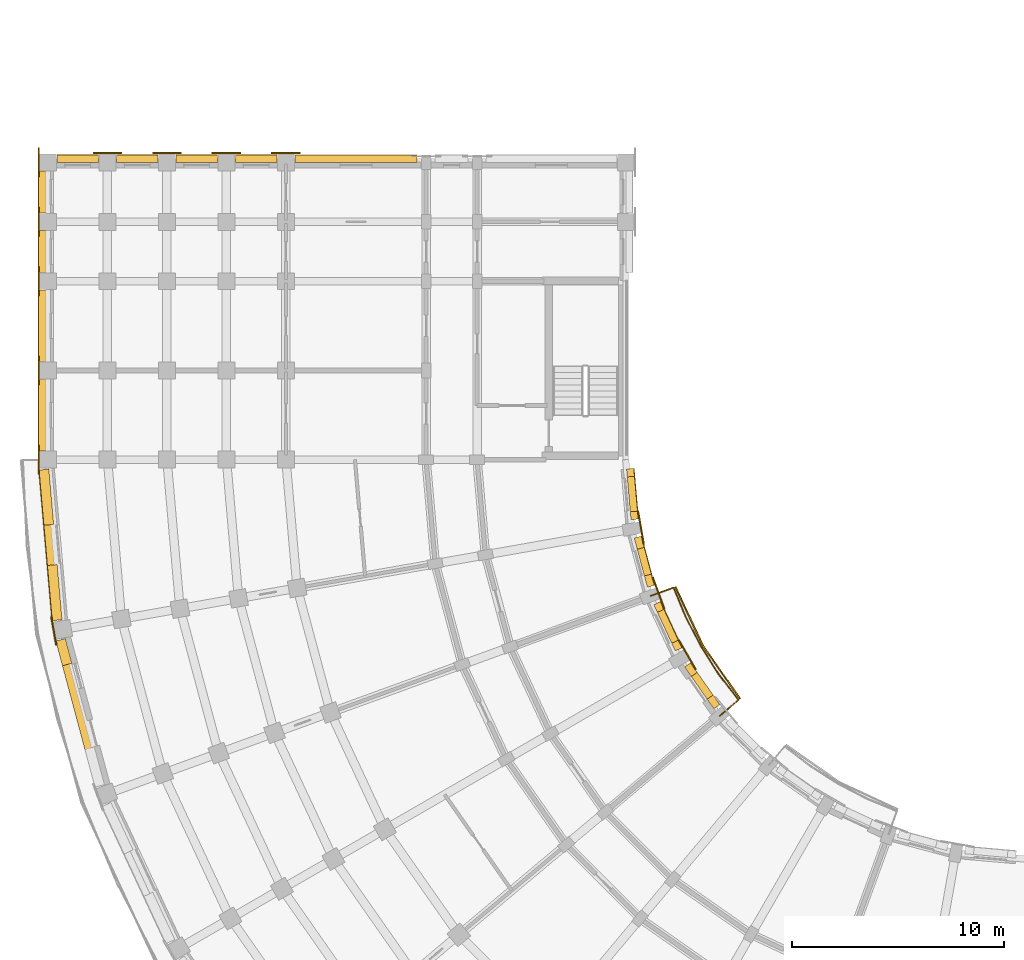
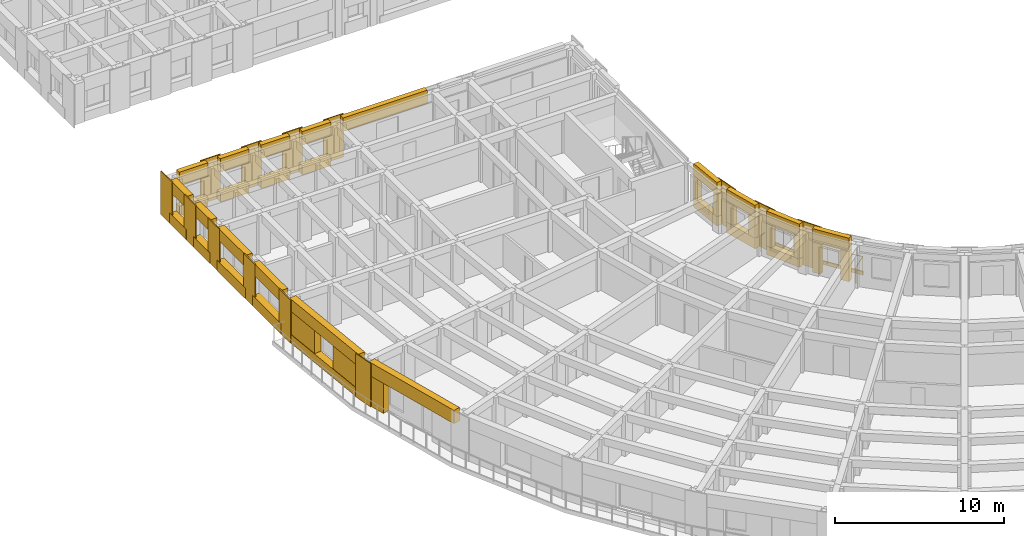
# One storey, part 41 of 54: 52 coverings, 1 railing.
"""IFC4 building model written with IfcOpenShell, lengths in metres."""

from ifc_helpers import new_model, si_unit, direction, frame, origin, origin_2d, place, context, subcontext, project, spatial, polyline, circle, outline, extrude, material, layer, layer_set, type_object, element, save


model = new_model("IFC4")

# Units and contexts
model_context = context("Model", 3, precision=1e-05, world=origin(), true_north=direction((0.0, 1.0)))
body_context = subcontext(model_context, "Body", "Model", "MODEL_VIEW")
ifc_project = project(units=[si_unit("LENGTHUNIT", "METRE"), si_unit("AREAUNIT", "SQUARE_METRE"), si_unit("VOLUMEUNIT", "CUBIC_METRE"), si_unit("PLANEANGLEUNIT", "RADIAN"), si_unit("MASSUNIT", "GRAM", prefix="KILO")], contexts=[model_context])

# Site, building, storey
site_placement = place(None, origin())
site = spatial("IfcSite", under=ifc_project, at=site_placement, CompositionType="ELEMENT")
building_placement = place(site_placement, origin())
building = spatial("IfcBuilding", under=site, at=building_placement, Name="Kiranvali Square Residences", CompositionType="ELEMENT")
storey_placement = place(building_placement, frame((0.0, 0.0, 15.0)))
storey = spatial("IfcBuildingStorey", under=building, at=storey_placement, Name="L04", CompositionType="ELEMENT", Elevation=15.0)

# Coverings
ifc_material_1 = material(Name="Carved Porbandar limestone classical entablature and cornice", Category="masonry")
ifc_layer_1 = layer(ifc_material_1, 0.06201171875)
ifc_layer_set_1 = layer_set([ifc_layer_1], Name="Carved Porbandar limestone classical entablature and cornice")
covering_type_1 = type_object("IfcCoveringType", Name="COV-CLAD-GBAL", PredefinedType="CLADDING", material=ifc_layer_set_1)
covering_1_placement = place(storey_placement, frame((0.0, 0.0, -0.219970703125)))
element("IfcCovering", 1, at=covering_1_placement, inside=storey, type_object=covering_type_1, Name="Block C L04 garden balcony limestone fascia 2", PredefinedType="CLADDING", context=body_context, shape_type="SweptSolid", body=[
    extrude(outline(polyline([(34.8095703125, 36.964111328125), (33.061767578125, 39.4599609375), (31.774169921875, 42.221435546875), (31.710205078125, 42.1982421875), (33.0029296875, 39.426025390625), (34.757568359375, 36.92041015625), (34.8095703125, 36.964111328125)])), origin(), (0.0, 0.0, 1.0), 0.27001953125),
])
ifc_material_2 = material(Name="Honed Porbandar limestone ashlar facade cladding", Category="masonry")
ifc_layer_2 = layer(ifc_material_2, 0.3798828125)
ifc_layer_set_2 = layer_set([ifc_layer_2], Name="Honed Porbandar limestone ashlar facade cladding")
covering_type_2 = type_object("IfcCoveringType", Name="COV-CLAD-JAMB", PredefinedType="CLADDING", material=ifc_layer_set_2)
covering_2_placement = place(storey_placement, origin())
element("IfcCovering", 2, at=covering_2_placement, inside=storey, type_object=covering_type_2, Name="L04 deep limestone window jamb reveal C-L04-CRV-07.R", PredefinedType="CLADDING", context=body_context, shape_type="SweptSolid", body=[
    extrude(outline(polyline([(3.32568359375, 38.617431640625), (3.014892578125, 39.77734375), (2.571044921875, 39.658447265625), (2.8818359375, 38.49853515625), (3.32568359375, 38.617431640625)])), origin(), (0.0, 0.0, 1.0), 2.179931640625),
])
covering_3_placement = place(storey_placement, frame((0.0, 0.0, 0.6220703125)))
element("IfcCovering", 3, at=covering_3_placement, inside=storey, type_object=covering_type_2, Name="L04 deep limestone window jamb reveal C-L04-CRV-08.L", PredefinedType="CLADDING", context=body_context, shape_type="SweptSolid", body=[
    extrude(outline(polyline([(2.859130859375, 40.660400390625), (2.6318359375, 43.259765625), (2.174072265625, 43.2197265625), (2.4013671875, 40.620361328125), (2.859130859375, 40.660400390625)])), origin(), (0.0, 0.0, 1.0), 1.64990234375),
])
covering_4_placement = place(storey_placement, frame((0.0, 0.0, 0.6220703125)))
element("IfcCovering", 4, at=covering_4_placement, inside=storey, type_object=covering_type_2, Name="L04 deep limestone window jamb reveal C-L04-CRV-08.R", PredefinedType="CLADDING", context=body_context, shape_type="SweptSolid", body=[
    extrude(outline(polyline([(2.466064453125, 45.15234375), (2.23876953125, 47.751708984375), (1.781005859375, 47.711669921875), (2.00830078125, 45.1123046875), (2.466064453125, 45.15234375)])), origin(), (0.0, 0.0, 1.0), 1.64990234375),
])
covering_5_placement = place(storey_placement, origin())
element("IfcCovering", 5, at=covering_5_placement, inside=storey, type_object=covering_type_2, Name="L04 deep limestone window jamb reveal C-L04-GDN-05.L", PredefinedType="CLADDING", context=body_context, shape_type="SweptSolid", body=[
    extrude(outline(polyline([(33.824462890625, 36.671142578125), (33.509765625, 37.120361328125), (33.231689453125, 36.925537109375), (33.54638671875, 36.476318359375), (33.824462890625, 36.671142578125)])), origin(), (0.0, 0.0, 1.0), 2.179931640625),
])
covering_6_placement = place(storey_placement, origin())
element("IfcCovering", 6, at=covering_6_placement, inside=storey, type_object=covering_type_2, Name="L04 deep limestone window jamb reveal C-L04-GDN-05.R", PredefinedType="CLADDING", context=body_context, shape_type="SweptSolid", body=[
    extrude(outline(polyline([(32.76416015625, 38.185302734375), (32.44970703125, 38.634521484375), (32.171630859375, 38.43994140625), (32.486083984375, 37.990478515625), (32.76416015625, 38.185302734375)])), origin(), (0.0, 0.0, 1.0), 2.179931640625),
])
covering_7_placement = place(storey_placement, frame((0.0, 0.0, 0.6220703125)))
element("IfcCovering", 7, at=covering_7_placement, inside=storey, type_object=covering_type_2, Name="L04 deep limestone window jamb reveal C-L04-GDN-06.L", PredefinedType="CLADDING", context=body_context, shape_type="SweptSolid", body=[
    extrude(outline(polyline([(32.041015625, 39.342529296875), (31.87255859375, 39.70361328125), (31.564697265625, 39.56005859375), (31.733154296875, 39.198974609375), (32.041015625, 39.342529296875)])), origin(), (0.0, 0.0, 1.0), 1.64990234375),
])
covering_8_placement = place(storey_placement, frame((0.0, 0.0, 0.6220703125)))
element("IfcCovering", 8, at=covering_8_placement, inside=storey, type_object=covering_type_2, Name="L04 deep limestone window jamb reveal C-L04-GDN-06.R", PredefinedType="CLADDING", context=body_context, shape_type="SweptSolid", body=[
    extrude(outline(polyline([(31.1962890625, 41.15380859375), (31.02783203125, 41.514892578125), (30.72021484375, 41.37158203125), (30.888671875, 41.01025390625), (31.1962890625, 41.15380859375)])), origin(), (0.0, 0.0, 1.0), 1.64990234375),
])
covering_9_placement = place(storey_placement, frame((0.0, 0.0, 0.77197265625)))
element("IfcCovering", 9, at=covering_9_placement, inside=storey, type_object=covering_type_2, Name="L04 deep limestone window jamb reveal C-L04-GDN-07.L", PredefinedType="CLADDING", context=body_context, shape_type="SweptSolid", body=[
    extrude(outline(polyline([(30.748291015625, 42.282958984375), (30.6064453125, 42.812744140625), (30.2783203125, 42.72509765625), (30.42041015625, 42.195068359375), (30.748291015625, 42.282958984375)])), origin(), (0.0, 0.0, 1.0), 1.5),
])
covering_10_placement = place(storey_placement, frame((0.0, 0.0, 0.77197265625)))
element("IfcCovering", 10, at=covering_10_placement, inside=storey, type_object=covering_type_2, Name="L04 deep limestone window jamb reveal C-L04-GDN-07.R", PredefinedType="CLADDING", context=body_context, shape_type="SweptSolid", body=[
    extrude(outline(polyline([(30.269775390625, 44.068603515625), (30.1279296875, 44.598388671875), (29.800048828125, 44.510498046875), (29.94189453125, 43.980712890625), (30.269775390625, 44.068603515625)])), origin(), (0.0, 0.0, 1.0), 1.5),
])
covering_11_placement = place(storey_placement, frame((0.0, 0.0, 0.672119140625)))
element("IfcCovering", 11, at=covering_11_placement, inside=storey, type_object=covering_type_2, Name="L04 deep limestone window jamb reveal C-L04-GDN-08.L", PredefinedType="CLADDING", context=body_context, shape_type="SweptSolid", body=[
    extrude(outline(polyline([(29.986083984375, 45.4033203125), (29.953369140625, 45.775390625), (29.615234375, 45.745849609375), (29.647705078125, 45.373779296875), (29.986083984375, 45.4033203125)])), origin(), (0.0, 0.0, 1.0), 1.599853515625),
])
covering_12_placement = place(storey_placement, frame((0.0, 0.0, 0.672119140625)))
element("IfcCovering", 12, at=covering_12_placement, inside=storey, type_object=covering_type_2, Name="L04 deep limestone window jamb reveal C-L04-GDN-08.R", PredefinedType="CLADDING", context=body_context, shape_type="SweptSolid", body=[
    extrude(outline(polyline([(29.8095703125, 47.419189453125), (29.777099609375, 47.791259765625), (29.43896484375, 47.76171875), (29.471435546875, 47.3896484375), (29.8095703125, 47.419189453125)])), origin(), (0.0, 0.0, 1.0), 1.599853515625),
])
ifc_layer_3 = layer(ifc_material_2, 0.06494140625)
ifc_layer_set_3 = layer_set([ifc_layer_3], Name="Honed Porbandar limestone ashlar facade cladding")
covering_type_3 = type_object("IfcCoveringType", Name="COV-CLAD-PIER", PredefinedType="CLADDING", material=ifc_layer_set_3)
covering_13_placement = place(storey_placement, frame((0.0, 0.0, 0.0048828125)))
element("IfcCovering", 13, at=covering_13_placement, inside=storey, type_object=covering_type_3, Name="L04 Classical limestone corner pilaster CLAD-PR-C-L04-A08", PredefinedType="CLADDING", context=body_context, shape_type="SweptSolid", body=[
    extrude(outline(polyline([(2.31982421875, 40.800537109375), (2.555908203125, 39.461181640625), (2.62255859375, 39.472900390625), (2.38623046875, 40.812255859375), (2.31982421875, 40.800537109375)])), origin(), (0.0, 0.0, 1.0), 3.14013671875),
])
covering_14_placement = place(storey_placement, frame((0.0, 0.0, 0.0048828125)))
element("IfcCovering", 14, at=covering_14_placement, inside=storey, type_object=covering_type_3, Name="L04 Classical limestone corner pilaster CLAD-PR-C-L04-A09", PredefinedType="CLADDING", context=body_context, shape_type="SweptSolid", body=[
    extrude(outline(polyline([(1.73193359375, 48.8798828125), (1.73193359375, 47.52001953125), (1.799560546875, 47.52001953125), (1.799560546875, 48.8798828125), (1.73193359375, 48.8798828125)])), origin(), (0.0, 0.0, 1.0), 3.14013671875),
])
covering_15_placement = place(storey_placement, frame((0.0, 0.0, 0.0048828125)))
element("IfcCovering", 15, at=covering_15_placement, inside=storey, type_object=covering_type_3, Name="L04 Classical limestone pilaster casing CLAD-PR-C-L04-V42", PredefinedType="CLADDING", context=body_context, shape_type="SweptSolid", body=[
    extrude(outline(polyline([(1.799560546875, 51.719970703125), (1.799560546875, 53.080078125), (1.73193359375, 53.080078125), (1.73193359375, 51.719970703125), (1.799560546875, 51.719970703125)])), origin(), (0.0, 0.0, 1.0), 3.14013671875),
])
covering_16_placement = place(storey_placement, frame((0.0, 0.0, 0.0048828125)))
element("IfcCovering", 16, at=covering_16_placement, inside=storey, type_object=covering_type_3, Name="L04 Classical limestone pilaster casing CLAD-PR-C-L04-V84", PredefinedType="CLADDING", context=body_context, shape_type="SweptSolid", body=[
    extrude(outline(polyline([(1.799560546875, 55.919921875), (1.799560546875, 57.280029296875), (1.73193359375, 57.280029296875), (1.73193359375, 55.919921875), (1.799560546875, 55.919921875)])), origin(), (0.0, 0.0, 1.0), 3.14013671875),
])
covering_17_placement = place(storey_placement, frame((0.0, 0.0, 0.0048828125)))
element("IfcCovering", 17, at=covering_17_placement, inside=storey, type_object=covering_type_3, Name="L04 Classical limestone pilaster casing CLAD-PR-C-L04-V112", PredefinedType="CLADDING", context=body_context, shape_type="SweptSolid", body=[
    extrude(outline(polyline([(1.799560546875, 58.719970703125), (1.799560546875, 60.080078125), (1.73193359375, 60.080078125), (1.73193359375, 58.719970703125), (1.799560546875, 58.719970703125)])), origin(), (0.0, 0.0, 1.0), 3.14013671875),
])
covering_18_placement = place(storey_placement, frame((0.0, 0.0, 0.0048828125)))
element("IfcCovering", 18, at=covering_18_placement, inside=storey, type_object=covering_type_3, Name="L04 Classical limestone pilaster casing CLAD-PR-C-L04-V140", PredefinedType="CLADDING", context=body_context, shape_type="SweptSolid", body=[
    extrude(outline(polyline([(1.799560546875, 61.52001953125), (1.799560546875, 62.8798828125), (1.73193359375, 62.8798828125), (1.73193359375, 61.52001953125), (1.799560546875, 61.52001953125)])), origin(), (0.0, 0.0, 1.0), 3.14013671875),
])
ifc_layer_4 = layer(ifc_material_2, 0.050048828125)
ifc_layer_set_4 = layer_set([ifc_layer_4], Name="Honed Porbandar limestone ashlar facade cladding")
covering_type_4 = type_object("IfcCoveringType", Name="COV-CLAD-PIER-IN", PredefinedType="CLADDING", material=ifc_layer_set_4)
covering_19_placement = place(storey_placement, frame((0.0, 0.0, 0.0048828125)))
element("IfcCovering", 19, at=covering_19_placement, inside=storey, type_object=covering_type_4, Name="L04 Classical garden courtyard pilaster CLAD-PRIN-C-L04-A06", PredefinedType="CLADDING", context=body_context, shape_type="SweptSolid", body=[
    extrude(outline(polyline([(32.72412109375, 38.341064453125), (31.924072265625, 39.726806640625), (31.865478515625, 39.693115234375), (32.66552734375, 38.307373046875), (32.72412109375, 38.341064453125)])), origin(), (0.0, 0.0, 1.0), 3.14013671875),
])
covering_20_placement = place(storey_placement, frame((0.0, 0.0, 0.0048828125)))
element("IfcCovering", 20, at=covering_20_placement, inside=storey, type_object=covering_type_4, Name="L04 Classical garden courtyard pilaster CLAD-PRIN-C-L04-A07", PredefinedType="CLADDING", context=body_context, shape_type="SweptSolid", body=[
    extrude(outline(polyline([(31.2470703125, 41.17822265625), (30.699951171875, 42.681884765625), (30.636474609375, 42.65869140625), (31.183837890625, 41.1552734375), (31.2470703125, 41.17822265625)])), origin(), (0.0, 0.0, 1.0), 3.14013671875),
])
covering_21_placement = place(storey_placement, frame((0.0, 0.0, 0.0048828125)))
element("IfcCovering", 21, at=covering_21_placement, inside=storey, type_object=covering_type_4, Name="L04 Classical garden courtyard pilaster CLAD-PRIN-C-L04-A08", PredefinedType="CLADDING", context=body_context, shape_type="SweptSolid", body=[
    extrude(outline(polyline([(30.285400390625, 44.228759765625), (30.007568359375, 45.804443359375), (29.941162109375, 45.792724609375), (30.218994140625, 44.217041015625), (30.285400390625, 44.228759765625)])), origin(), (0.0, 0.0, 1.0), 3.14013671875),
])
ifc_layer_5 = layer(ifc_material_2, 0.054931640625)
ifc_layer_set_5 = layer_set([ifc_layer_5], Name="Honed Porbandar limestone ashlar facade cladding")
covering_type_5 = type_object("IfcCoveringType", Name="COV-CLAD-PIER-UP", PredefinedType="CLADDING", material=ifc_layer_set_5)
covering_22_placement = place(storey_placement, frame((0.0, 0.0, 0.0048828125)))
element("IfcCovering", 22, at=covering_22_placement, inside=storey, type_object=covering_type_5, Name="L04 Classical limestone pilaster casing CLAD-PRA2E-C-L04-R348", PredefinedType="CLADDING", context=body_context, shape_type="SweptSolid", body=[
    extrude(outline(polyline([(14.080078125, 62.66796875), (12.719970703125, 62.66796875), (12.719970703125, 62.6005859375), (14.080078125, 62.6005859375), (14.080078125, 62.66796875)])), origin(), (0.0, 0.0, 1.0), 3.14013671875),
])
covering_23_placement = place(storey_placement, frame((0.0, 0.0, 0.0048828125)))
element("IfcCovering", 23, at=covering_23_placement, inside=storey, type_object=covering_type_5, Name="L04 Classical limestone pilaster casing CLAD-PRA2E-C-L04-R376", PredefinedType="CLADDING", context=body_context, shape_type="SweptSolid", body=[
    extrude(outline(polyline([(11.280029296875, 62.66796875), (9.919921875, 62.66796875), (9.919921875, 62.6005859375), (11.280029296875, 62.6005859375), (11.280029296875, 62.66796875)])), origin(), (0.0, 0.0, 1.0), 3.14013671875),
])
covering_24_placement = place(storey_placement, frame((0.0, 0.0, 0.0048828125)))
element("IfcCovering", 24, at=covering_24_placement, inside=storey, type_object=covering_type_5, Name="L04 Classical limestone pilaster casing CLAD-PRA2E-C-L04-R404", PredefinedType="CLADDING", context=body_context, shape_type="SweptSolid", body=[
    extrude(outline(polyline([(8.47998046875, 62.66796875), (7.1201171875, 62.66796875), (7.1201171875, 62.6005859375), (8.47998046875, 62.6005859375), (8.47998046875, 62.66796875)])), origin(), (0.0, 0.0, 1.0), 3.14013671875),
])
covering_25_placement = place(storey_placement, frame((0.0, 0.0, 0.0048828125)))
element("IfcCovering", 25, at=covering_25_placement, inside=storey, type_object=covering_type_5, Name="L04 Classical limestone pilaster casing CLAD-PRA2E-C-L04-R432", PredefinedType="CLADDING", context=body_context, shape_type="SweptSolid", body=[
    extrude(outline(polyline([(5.679931640625, 62.66796875), (4.320068359375, 62.66796875), (4.320068359375, 62.6005859375), (5.679931640625, 62.6005859375), (5.679931640625, 62.66796875)])), origin(), (0.0, 0.0, 1.0), 3.14013671875),
])
ifc_layer_6 = layer(ifc_material_2, 0.360107421875)
ifc_layer_set_6 = layer_set([ifc_layer_6], Name="Honed Porbandar limestone ashlar facade cladding")
covering_type_6 = type_object("IfcCoveringType", Name="COV-CLAD-WALL", PredefinedType="CLADDING", material=ifc_layer_set_6)
covering_26_placement = place(storey_placement, frame((0.0, 0.0, 2.179931640625)))
element("IfcCovering", 26, at=covering_26_placement, inside=storey, type_object=covering_type_6, Name="L04 light limestone spandrel lintel C-L04-CRV-07", PredefinedType="CLADDING", context=body_context, shape_type="SweptSolid", body=[
    extrude(outline(polyline([(4.857177734375, 32.901611328125), (3.014892578125, 39.77734375), (2.571044921875, 39.658447265625), (4.413330078125, 32.78271484375), (4.857177734375, 32.901611328125)])), origin(), (0.0, 0.0, 1.0), 0.965087890625),
])
covering_27_placement = place(storey_placement, frame((0.0, 0.0, 2.27197265625)))
element("IfcCovering", 27, at=covering_27_placement, inside=storey, type_object=covering_type_6, Name="L04 light limestone spandrel lintel C-L04-CRV-08", PredefinedType="CLADDING", context=body_context, shape_type="SweptSolid", body=[
    extrude(outline(polyline([(2.859130859375, 40.660400390625), (2.23876953125, 47.751708984375), (1.781005859375, 47.711669921875), (2.4013671875, 40.620361328125), (2.859130859375, 40.660400390625)])), origin(), (0.0, 0.0, 1.0), 0.873046875),
])
covering_28_placement = place(storey_placement, frame((0.0, 0.0, 0.0048828125)))
element("IfcCovering", 28, at=covering_28_placement, inside=storey, type_object=covering_type_6, Name="L04 limestone window sill apron C-L04-CRV-08", PredefinedType="CLADDING", context=body_context, shape_type="SweptSolid", body=[
    extrude(outline(polyline([(2.859130859375, 40.660400390625), (2.23876953125, 47.751708984375), (1.7509765625, 47.708984375), (2.37158203125, 40.61767578125), (2.859130859375, 40.660400390625)])), origin(), (0.0, 0.0, 1.0), 0.6171875),
])
covering_29_placement = place(storey_placement, frame((0.0, 0.0, 2.179931640625)))
element("IfcCovering", 29, at=covering_29_placement, inside=storey, type_object=covering_type_6, Name="L04 light limestone spandrel lintel C-L04-GDN-05", PredefinedType="CLADDING", context=body_context, shape_type="SweptSolid", body=[
    extrude(outline(polyline([(33.824462890625, 36.671142578125), (32.44970703125, 38.634521484375), (32.171630859375, 38.43994140625), (33.54638671875, 36.476318359375), (33.824462890625, 36.671142578125)])), origin(), (0.0, 0.0, 1.0), 0.965087890625),
])
covering_30_placement = place(storey_placement, frame((0.0, 0.0, 2.27197265625)))
element("IfcCovering", 30, at=covering_30_placement, inside=storey, type_object=covering_type_6, Name="L04 light limestone spandrel lintel C-L04-GDN-06", PredefinedType="CLADDING", context=body_context, shape_type="SweptSolid", body=[
    extrude(outline(polyline([(32.041015625, 39.342529296875), (31.02783203125, 41.514892578125), (30.72021484375, 41.37158203125), (31.733154296875, 39.198974609375), (32.041015625, 39.342529296875)])), origin(), (0.0, 0.0, 1.0), 0.873046875),
])
covering_31_placement = place(storey_placement, frame((0.0, 0.0, 2.27197265625)))
element("IfcCovering", 31, at=covering_31_placement, inside=storey, type_object=covering_type_6, Name="L04 light limestone spandrel lintel C-L04-GDN-07", PredefinedType="CLADDING", context=body_context, shape_type="SweptSolid", body=[
    extrude(outline(polyline([(30.748291015625, 42.282958984375), (30.1279296875, 44.598388671875), (29.800048828125, 44.510498046875), (30.42041015625, 42.195068359375), (30.748291015625, 42.282958984375)])), origin(), (0.0, 0.0, 1.0), 0.873046875),
])
covering_32_placement = place(storey_placement, frame((0.0, 0.0, 2.27197265625)))
element("IfcCovering", 32, at=covering_32_placement, inside=storey, type_object=covering_type_6, Name="L04 light limestone spandrel lintel C-L04-GDN-08", PredefinedType="CLADDING", context=body_context, shape_type="SweptSolid", body=[
    extrude(outline(polyline([(29.986083984375, 45.4033203125), (29.777099609375, 47.791259765625), (29.43896484375, 47.76171875), (29.647705078125, 45.373779296875), (29.986083984375, 45.4033203125)])), origin(), (0.0, 0.0, 1.0), 0.873046875),
])
covering_33_placement = place(storey_placement, frame((0.0, 0.0, 2.27197265625)))
element("IfcCovering", 33, at=covering_33_placement, inside=storey, type_object=covering_type_6, Name="L04 light limestone spandrel lintel C-L04-A2O-0", PredefinedType="CLADDING", context=body_context, shape_type="SweptSolid", body=[
    extrude(outline(polyline([(2.199462890625, 48.6201171875), (2.199462890625, 51.97998046875), (1.75, 51.97998046875), (1.75, 48.6201171875), (2.199462890625, 48.6201171875)])), origin(), (0.0, 0.0, 1.0), 0.873046875),
])
covering_34_placement = place(storey_placement, frame((0.0, 0.0, 0.0048828125)))
element("IfcCovering", 34, at=covering_34_placement, inside=storey, type_object=covering_type_6, Name="L04 limestone window sill apron C-L04-A2O-0", PredefinedType="CLADDING", context=body_context, shape_type="SweptSolid", body=[
    extrude(outline(polyline([(2.199462890625, 48.6201171875), (2.199462890625, 51.97998046875), (1.719970703125, 51.97998046875), (1.719970703125, 48.6201171875), (2.199462890625, 48.6201171875)])), origin(), (0.0, 0.0, 1.0), 0.76708984375),
])
covering_35_placement = place(storey_placement, frame((0.0, 0.0, 2.27197265625)))
element("IfcCovering", 35, at=covering_35_placement, inside=storey, type_object=covering_type_6, Name="L04 light limestone spandrel lintel C-L04-A2O-1", PredefinedType="CLADDING", context=body_context, shape_type="SweptSolid", body=[
    extrude(outline(polyline([(2.199462890625, 52.820068359375), (2.199462890625, 56.179931640625), (1.75, 56.179931640625), (1.75, 52.820068359375), (2.199462890625, 52.820068359375)])), origin(), (0.0, 0.0, 1.0), 0.873046875),
])
covering_36_placement = place(storey_placement, frame((0.0, 0.0, 0.0048828125)))
element("IfcCovering", 36, at=covering_36_placement, inside=storey, type_object=covering_type_6, Name="L04 limestone window sill apron C-L04-A2O-1", PredefinedType="CLADDING", context=body_context, shape_type="SweptSolid", body=[
    extrude(outline(polyline([(2.199462890625, 52.820068359375), (2.199462890625, 56.179931640625), (1.719970703125, 56.179931640625), (1.719970703125, 52.820068359375), (2.199462890625, 52.820068359375)])), origin(), (0.0, 0.0, 1.0), 0.76708984375),
])
covering_37_placement = place(storey_placement, frame((0.0, 0.0, 2.27197265625)))
element("IfcCovering", 37, at=covering_37_placement, inside=storey, type_object=covering_type_6, Name="L04 light limestone spandrel lintel C-L04-A2O-2", PredefinedType="CLADDING", context=body_context, shape_type="SweptSolid", body=[
    extrude(outline(polyline([(2.199462890625, 57.02001953125), (2.199462890625, 58.97998046875), (1.75, 58.97998046875), (1.75, 57.02001953125), (2.199462890625, 57.02001953125)])), origin(), (0.0, 0.0, 1.0), 0.873046875),
])
covering_38_placement = place(storey_placement, frame((0.0, 0.0, 0.0048828125)))
element("IfcCovering", 38, at=covering_38_placement, inside=storey, type_object=covering_type_6, Name="L04 limestone window sill apron C-L04-A2O-2", PredefinedType="CLADDING", context=body_context, shape_type="SweptSolid", body=[
    extrude(outline(polyline([(2.199462890625, 57.02001953125), (2.199462890625, 58.97998046875), (1.719970703125, 58.97998046875), (1.719970703125, 57.02001953125), (2.199462890625, 57.02001953125)])), origin(), (0.0, 0.0, 1.0), 0.76708984375),
])
covering_39_placement = place(storey_placement, frame((0.0, 0.0, 2.27197265625)))
element("IfcCovering", 39, at=covering_39_placement, inside=storey, type_object=covering_type_6, Name="L04 light limestone spandrel lintel C-L04-A2O-3", PredefinedType="CLADDING", context=body_context, shape_type="SweptSolid", body=[
    extrude(outline(polyline([(2.199462890625, 59.820068359375), (2.199462890625, 61.780029296875), (1.75, 61.780029296875), (1.75, 59.820068359375), (2.199462890625, 59.820068359375)])), origin(), (0.0, 0.0, 1.0), 0.873046875),
])
covering_40_placement = place(storey_placement, frame((0.0, 0.0, 0.0048828125)))
element("IfcCovering", 40, at=covering_40_placement, inside=storey, type_object=covering_type_6, Name="L04 limestone window sill apron C-L04-A2O-3", PredefinedType="CLADDING", context=body_context, shape_type="SweptSolid", body=[
    extrude(outline(polyline([(2.199462890625, 59.820068359375), (2.199462890625, 61.780029296875), (1.719970703125, 61.780029296875), (1.719970703125, 59.820068359375), (2.199462890625, 59.820068359375)])), origin(), (0.0, 0.0, 1.0), 0.76708984375),
])
covering_41_placement = place(storey_placement, frame((0.0, 0.0, 2.172119140625)))
element("IfcCovering", 41, at=covering_41_placement, inside=storey, type_object=covering_type_6, Name="L04 light limestone spandrel lintel C-L04-A2END-2", PredefinedType="CLADDING", context=body_context, shape_type="SweptSolid", body=[
    extrude(outline(polyline([(19.580078125, 62.5400390625), (13.820068359375, 62.5400390625), (13.820068359375, 62.200439453125), (19.580078125, 62.200439453125), (19.580078125, 62.5400390625)])), origin(), (0.0, 0.0, 1.0), 0.972900390625),
])
covering_42_placement = place(storey_placement, frame((0.0, 0.0, 2.172119140625)))
element("IfcCovering", 42, at=covering_42_placement, inside=storey, type_object=covering_type_6, Name="L04 light limestone spandrel lintel C-L04-A2END-3", PredefinedType="CLADDING", context=body_context, shape_type="SweptSolid", body=[
    extrude(outline(polyline([(12.97998046875, 62.5400390625), (11.02001953125, 62.5400390625), (11.02001953125, 62.200439453125), (12.97998046875, 62.200439453125), (12.97998046875, 62.5400390625)])), origin(), (0.0, 0.0, 1.0), 0.972900390625),
])
covering_43_placement = place(storey_placement, frame((0.0, 0.0, 0.0048828125)))
element("IfcCovering", 43, at=covering_43_placement, inside=storey, type_object=covering_type_6, Name="L04 limestone window sill apron C-L04-A2END-3", PredefinedType="CLADDING", context=body_context, shape_type="SweptSolid", body=[
    extrude(outline(polyline([(12.97998046875, 62.570068359375), (11.02001953125, 62.570068359375), (11.02001953125, 62.200439453125), (12.97998046875, 62.200439453125), (12.97998046875, 62.570068359375)])), origin(), (0.0, 0.0, 1.0), 0.667236328125),
])
covering_44_placement = place(storey_placement, frame((0.0, 0.0, 2.172119140625)))
element("IfcCovering", 44, at=covering_44_placement, inside=storey, type_object=covering_type_6, Name="L04 light limestone spandrel lintel C-L04-A2END-4", PredefinedType="CLADDING", context=body_context, shape_type="SweptSolid", body=[
    extrude(outline(polyline([(10.179931640625, 62.5400390625), (8.219970703125, 62.5400390625), (8.219970703125, 62.200439453125), (10.179931640625, 62.200439453125), (10.179931640625, 62.5400390625)])), origin(), (0.0, 0.0, 1.0), 0.972900390625),
])
covering_45_placement = place(storey_placement, frame((0.0, 0.0, 0.0048828125)))
element("IfcCovering", 45, at=covering_45_placement, inside=storey, type_object=covering_type_6, Name="L04 limestone window sill apron C-L04-A2END-4", PredefinedType="CLADDING", context=body_context, shape_type="SweptSolid", body=[
    extrude(outline(polyline([(10.179931640625, 62.570068359375), (8.219970703125, 62.570068359375), (8.219970703125, 62.200439453125), (10.179931640625, 62.200439453125), (10.179931640625, 62.570068359375)])), origin(), (0.0, 0.0, 1.0), 0.667236328125),
])
covering_46_placement = place(storey_placement, frame((0.0, 0.0, 2.172119140625)))
element("IfcCovering", 46, at=covering_46_placement, inside=storey, type_object=covering_type_6, Name="L04 light limestone spandrel lintel C-L04-A2END-5", PredefinedType="CLADDING", context=body_context, shape_type="SweptSolid", body=[
    extrude(outline(polyline([(7.3798828125, 62.5400390625), (5.419921875, 62.5400390625), (5.419921875, 62.200439453125), (7.3798828125, 62.200439453125), (7.3798828125, 62.5400390625)])), origin(), (0.0, 0.0, 1.0), 0.972900390625),
])
covering_47_placement = place(storey_placement, frame((0.0, 0.0, 0.0048828125)))
element("IfcCovering", 47, at=covering_47_placement, inside=storey, type_object=covering_type_6, Name="L04 limestone window sill apron C-L04-A2END-5", PredefinedType="CLADDING", context=body_context, shape_type="SweptSolid", body=[
    extrude(outline(polyline([(7.3798828125, 62.570068359375), (5.419921875, 62.570068359375), (5.419921875, 62.200439453125), (7.3798828125, 62.200439453125), (7.3798828125, 62.570068359375)])), origin(), (0.0, 0.0, 1.0), 0.667236328125),
])
covering_48_placement = place(storey_placement, frame((0.0, 0.0, 2.172119140625)))
element("IfcCovering", 48, at=covering_48_placement, inside=storey, type_object=covering_type_6, Name="L04 light limestone spandrel lintel C-L04-A2END-6", PredefinedType="CLADDING", context=body_context, shape_type="SweptSolid", body=[
    extrude(outline(polyline([(4.580078125, 62.5400390625), (2.6201171875, 62.5400390625), (2.6201171875, 62.200439453125), (4.580078125, 62.200439453125), (4.580078125, 62.5400390625)])), origin(), (0.0, 0.0, 1.0), 0.972900390625),
])
covering_49_placement = place(storey_placement, frame((0.0, 0.0, 0.0048828125)))
element("IfcCovering", 49, at=covering_49_placement, inside=storey, type_object=covering_type_6, Name="L04 limestone window sill apron C-L04-A2END-6", PredefinedType="CLADDING", context=body_context, shape_type="SweptSolid", body=[
    extrude(outline(polyline([(4.580078125, 62.570068359375), (2.6201171875, 62.570068359375), (2.6201171875, 62.200439453125), (4.580078125, 62.200439453125), (4.580078125, 62.570068359375)])), origin(), (0.0, 0.0, 1.0), 0.667236328125),
])
ifc_layer_7 = layer(ifc_material_2, 0.2900390625)
ifc_layer_set_7 = layer_set([ifc_layer_7], Name="Honed Porbandar limestone ashlar facade cladding")
covering_type_7 = type_object("IfcCoveringType", Name="COV-CLAD-WALL-IN", PredefinedType="CLADDING", material=ifc_layer_set_7)
covering_50_placement = place(storey_placement, frame((0.0, 0.0, 0.0048828125)))
element("IfcCovering", 50, at=covering_50_placement, inside=storey, type_object=covering_type_7, Name="L04 limestone window sill apron C-L04-GDN-06", PredefinedType="CLADDING", context=body_context, shape_type="SweptSolid", body=[
    extrude(outline(polyline([(32.068115234375, 39.355224609375), (31.05517578125, 41.527587890625), (30.72021484375, 41.37158203125), (31.733154296875, 39.198974609375), (32.068115234375, 39.355224609375)])), origin(), (0.0, 0.0, 1.0), 0.6171875),
])
covering_51_placement = place(storey_placement, frame((0.0, 0.0, 0.0048828125)))
element("IfcCovering", 51, at=covering_51_placement, inside=storey, type_object=covering_type_7, Name="L04 limestone window sill apron C-L04-GDN-07", PredefinedType="CLADDING", context=body_context, shape_type="SweptSolid", body=[
    extrude(outline(polyline([(30.77734375, 42.290771484375), (30.156982421875, 44.606201171875), (29.800048828125, 44.510498046875), (30.42041015625, 42.195068359375), (30.77734375, 42.290771484375)])), origin(), (0.0, 0.0, 1.0), 0.76708984375),
])
covering_52_placement = place(storey_placement, frame((0.0, 0.0, 0.0048828125)))
element("IfcCovering", 52, at=covering_52_placement, inside=storey, type_object=covering_type_7, Name="L04 limestone window sill apron C-L04-GDN-08", PredefinedType="CLADDING", context=body_context, shape_type="SweptSolid", body=[
    extrude(outline(polyline([(30.015869140625, 45.406005859375), (29.806884765625, 47.7939453125), (29.43896484375, 47.76171875), (29.647705078125, 45.373779296875), (30.015869140625, 45.406005859375)])), origin(), (0.0, 0.0, 1.0), 0.667236328125),
])

# Railing
ifc_material_3 = material(Name="Powder-coated architectural bronze balustrade", Category="steel")
railing_type = type_object("IfcRailingType", Name="RL-BAL-GOLD-1200", PredefinedType="BALUSTRADE", material=ifc_material_3)
railing_placement = place(storey_placement, frame((33.8291015625, 36.141357421875, 0.0)))
element("IfcRailing", 53, at=railing_placement, inside=storey, type_object=railing_type, Name="Block C L04 garden balcony gold balustrade 2", PredefinedType="BALUSTRADE", context=body_context, shape_type="SweptSolid", body=[
    extrude(circle(Radius=0.02392578125, at=origin_2d()), frame((0.0, 0.0, 1.17578125), z_axis=(0.765989188314, 0.642853454051, 0.0), x_axis=(-0.642853454051, 0.765989188314, 0.0)), (0.0, 0.0, 1.0), 1.14990234375),
    extrude(circle(Radius=0.02392578125, at=origin_2d()), frame((0.880859375, 0.7392578125, 1.17578125), z_axis=(-0.608811807471, 0.793314680996, 0.0), x_axis=(-0.793314680996, -0.608811807471, 0.0)), (0.0, 0.0, 1.0), 1.536376953125),
    extrude(circle(Radius=0.02392578125, at=origin_2d()), frame((-0.054443359375, 1.9580078125, 1.17578125), z_axis=(-0.537307309343, 0.843386539688, 0.0), x_axis=(-0.843386539688, -0.537307309343, 0.0)), (0.0, 0.0, 1.0), 1.5361328125),
    extrude(circle(Radius=0.02392578125, at=origin_2d()), frame((-0.8798828125, 3.253662109375, 1.17578125), z_axis=(-0.461713009976, 0.887029366154, 0.0), x_axis=(-0.887029366154, -0.461713009976, 0.0)), (0.0, 0.0, 1.0), 1.5361328125),
    extrude(circle(Radius=0.02392578125, at=origin_2d()), frame((-1.589111328125, 4.6162109375, 1.17578125), z_axis=(-0.382651197843, 0.923892883829, 0.0), x_axis=(-0.923892883829, -0.382651197843, 0.0)), (0.0, 0.0, 1.0), 1.536376953125),
    extrude(circle(Radius=0.02392578125, at=origin_2d()), frame((-2.177001953125, 6.03564453125, 1.17578125), z_axis=(-0.939712828289, -0.341964618562, 0.0), x_axis=(0.341964618562, -0.939712828289, 0.0)), (0.0, 0.0, 1.0), 1.150146484375),
    extrude(circle(Radius=0.02099609375, at=origin_2d()), origin(), (0.0, 0.0, 1.0), 1.15185546875),
    extrude(circle(Radius=0.02099609375, at=origin_2d()), frame((0.880859375, 0.7392578125, 0.0)), (0.0, 0.0, 1.0), 1.15185546875),
    extrude(circle(Radius=0.02099609375, at=origin_2d()), frame((0.4130859375, 1.3486328125, 0.0)), (0.0, 0.0, 1.0), 1.15185546875),
    extrude(circle(Radius=0.02099609375, at=origin_2d()), frame((-0.054443359375, 1.9580078125, 0.0)), (0.0, 0.0, 1.0), 1.15185546875),
    extrude(circle(Radius=0.02099609375, at=origin_2d()), frame((-0.46728515625, 2.60595703125, 0.0)), (0.0, 0.0, 1.0), 1.15185546875),
    extrude(circle(Radius=0.02099609375, at=origin_2d()), frame((-0.8798828125, 3.253662109375, 0.0)), (0.0, 0.0, 1.0), 1.15185546875),
    extrude(circle(Radius=0.02099609375, at=origin_2d()), frame((-1.234375, 3.93505859375, 0.0)), (0.0, 0.0, 1.0), 1.15185546875),
    extrude(circle(Radius=0.02099609375, at=origin_2d()), frame((-1.589111328125, 4.6162109375, 0.0)), (0.0, 0.0, 1.0), 1.15185546875),
    extrude(circle(Radius=0.02099609375, at=origin_2d()), frame((-1.883056640625, 5.325927734375, 0.0)), (0.0, 0.0, 1.0), 1.15185546875),
    extrude(circle(Radius=0.02099609375, at=origin_2d()), frame((-2.177001953125, 6.03564453125, 0.0)), (0.0, 0.0, 1.0), 1.15185546875),
    extrude(circle(Radius=0.02099609375, at=origin_2d()), frame((-3.2578125, 5.642333984375, 0.0)), (0.0, 0.0, 1.0), 1.15185546875),
])

save(model, "model.ifc")
